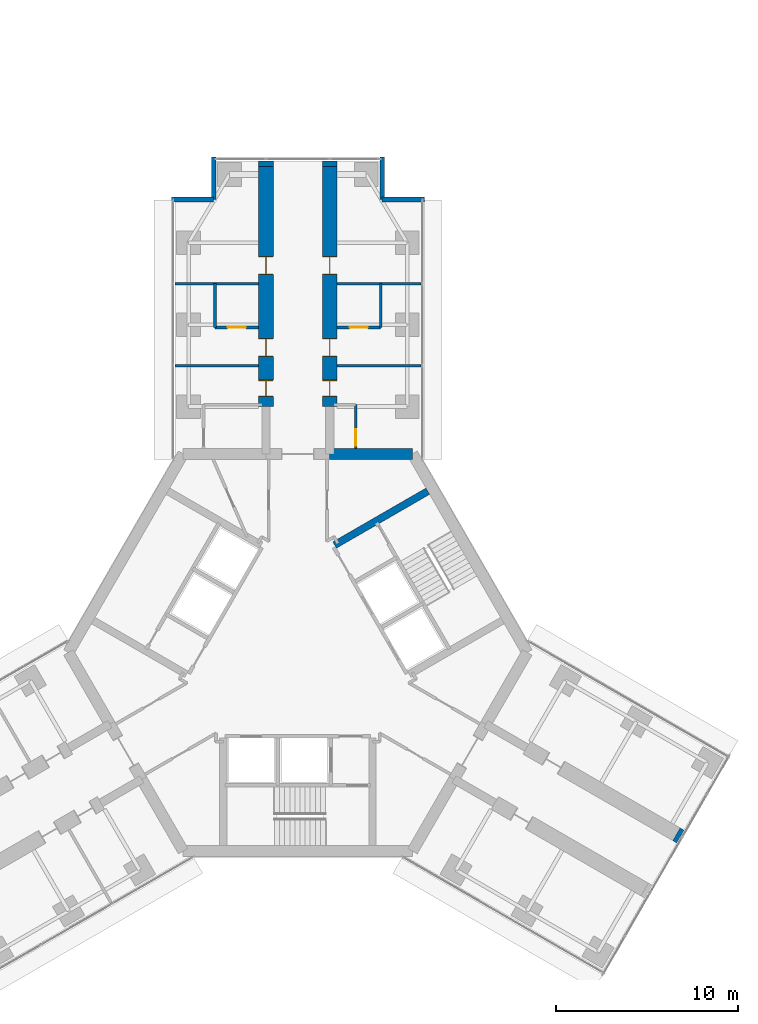
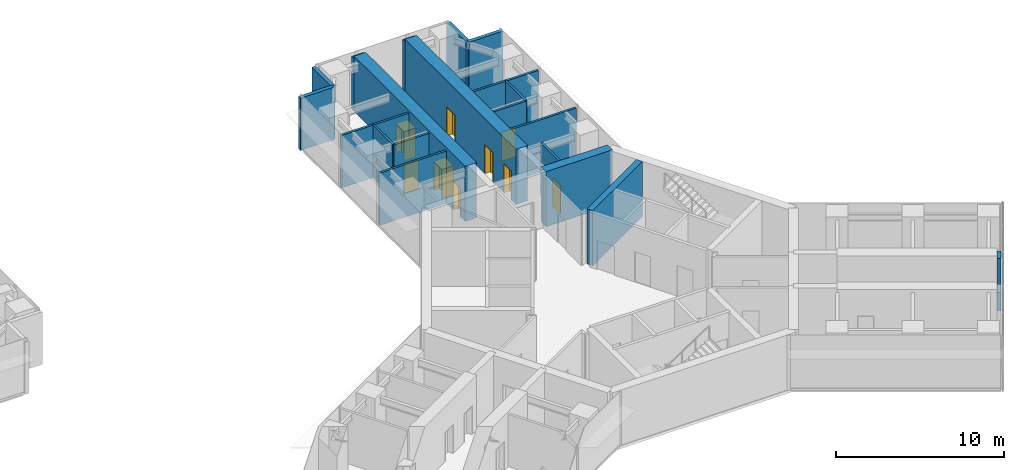
# One storey, part 20 of 22: 20 walls, 9 doors, 9 openings.
"""IFC4 building model written with IfcOpenShell, lengths in metres."""

from ifc_helpers import new_model, si_unit, direction, frame, frame_2d, origin, place, context, subcontext, project, spatial, rectangle, extrude, material, layer, layer_set, type_object, element, fill, save


model = new_model("IFC4")

# Units and contexts
model_context = context("Model", 3, precision=1e-05, world=origin(), true_north=direction((0.0, 1.0)))
body_context = subcontext(model_context, "Body", "Model", "MODEL_VIEW")
ifc_project = project(units=[si_unit("LENGTHUNIT", "METRE"), si_unit("AREAUNIT", "SQUARE_METRE"), si_unit("VOLUMEUNIT", "CUBIC_METRE"), si_unit("PLANEANGLEUNIT", "RADIAN"), si_unit("MASSUNIT", "GRAM", prefix="KILO")], contexts=[model_context])

# Site, building, storey
site_placement = place(None, origin())
site = spatial("IfcSite", under=ifc_project, at=site_placement, CompositionType="ELEMENT")
building_placement = place(site_placement, origin())
building = spatial("IfcBuilding", under=site, at=building_placement, Name="Upepo Twin Towers", CompositionType="ELEMENT")
storey_placement = place(building_placement, frame((0.0, 0.0, 125.5)))
storey = spatial("IfcBuildingStorey", under=building, at=storey_placement, Name="L30", CompositionType="ELEMENT", Elevation=125.5)

# Walls
ifc_material_1 = material(Name="Dense concrete blockwork", Category="masonry")
ifc_layer_1 = layer(ifc_material_1, 0.800048828125)
ifc_layer_set_1 = layer_set([ifc_layer_1], Name="Buttress closer 800, blockwork with fire-stopping to the curtain wall")
wall_type_1 = type_object("IfcWallType", Name="Buttress closer 800, blockwork with fire-stopping to the curtain wall", PredefinedType="PARTITIONING", material=ifc_layer_set_1)
for number, where, z_axis, x_axis, name in (
    (1, (56.75, 8.699951171875, 0.0), (0.0, 0.0, 1.0), (0.0, 1.0, 0.0), "T2 L30 wing A buttress closer L"),
    (2, (60.25, 8.699951171875, 0.0), (0.0, 0.0, 1.0), (0.0, 1.0, 0.0), "T2 L30 wing A buttress closer R"),
):
    element("IfcWall", number, at=place(storey_placement, frame(where, z_axis=z_axis, x_axis=x_axis)), inside=storey, type_object=wall_type_1, Name=name, PredefinedType="PARTITIONING", context=body_context, shape_type="SweptSolid", body=[
        extrude(rectangle(XDim=0.300048828125, YDim=0.800048828125, at=frame_2d((0.14990234375, 0.0))), origin(), (0.0, 0.0, 1.0), 3.800048828125),
    ])
wall_1_placement = place(storey_placement, frame((79.293701171875, -27.984375, 0.0), z_axis=(0.0, 0.0, 1.0), x_axis=(0.865827443207, -0.500342721131, 0.0)))
element("IfcWall", 3, at=wall_1_placement, inside=storey, type_object=wall_type_1, Name="T2 L30 wing C buttress closer L", PredefinedType="PARTITIONING", context=body_context, shape_type="SweptSolid", body=[
    extrude(rectangle(XDim=0.249755859375, YDim=0.800048828125, at=frame_2d((0.125, 0.0))), origin(), (0.0, 0.0, 1.0), 3.800048828125),
])

# Wall, openings, doors
ifc_material_2 = material(Name="Concrete C60/75", Category="concrete")
ifc_layer_2 = layer(ifc_material_2, 0.800048828125)
ifc_layer_set_2 = layer_set([ifc_layer_2], Name="Concrete C60/75")
wall_type_2 = type_object("IfcWallType", Name="Buttress wall 800 RC", PredefinedType="SHEAR", material=ifc_layer_set_2)
wall_2_placement = place(storey_placement, frame((56.75, -4.5, 0.0), z_axis=(0.0, 0.0, 1.0), x_axis=(0.0, 1.0, 0.0)))
wall_2 = element("IfcWall", 4, at=wall_2_placement, inside=storey, type_object=wall_type_2, Name="T2 wing A buttress wall L part 2", PredefinedType="SHEAR", context=body_context, shape_type="SweptSolid", body=[
    extrude(rectangle(XDim=13.199951171875, YDim=0.800048828125, at=frame_2d((6.60009765625, 0.0))), origin(), (0.0, 0.0, 1.0), 4.0),
])
opening_1_placement = place(wall_2_placement, frame((0.550048828125, 0.0, 0.0)))
opening_1 = element("IfcOpeningElement", 5, at=opening_1_placement, cuts=wall_2, Name="Opening D11", PredefinedType="OPENING", context=body_context, shape_type="SweptSolid", body=[
    extrude(rectangle(XDim=0.89990234375, YDim=2.10009765625, at=frame_2d((0.449951171875, 1.050048828125))), frame((0.0, 0.409912109375, 0.0), z_axis=(0.0, -1.0, 0.0), x_axis=(1.0, 0.0, 0.0)), (0.0, 0.0, 1.0), 0.820068359375),
])
opening_2_placement = place(wall_2_placement, frame((2.75, 0.0, 0.0)))
opening_2 = element("IfcOpeningElement", 6, at=opening_2_placement, cuts=wall_2, Name="Opening D1", PredefinedType="OPENING", context=body_context, shape_type="SweptSolid", body=[
    extrude(rectangle(XDim=1.0, YDim=2.10009765625, at=frame_2d((0.5, 1.050048828125))), frame((0.0, 0.409912109375, 0.0), z_axis=(0.0, -1.0, 0.0), x_axis=(1.0, 0.0, 0.0)), (0.0, 0.0, 1.0), 0.820068359375),
])
opening_3_placement = place(wall_2_placement, frame((7.25, 0.0, 0.0)))
opening_3 = element("IfcOpeningElement", 7, at=opening_3_placement, cuts=wall_2, Name="Opening D1", PredefinedType="OPENING", context=body_context, shape_type="SweptSolid", body=[
    extrude(rectangle(XDim=1.0, YDim=2.10009765625, at=frame_2d((0.5, 1.050048828125))), frame((0.0, 0.409912109375, 0.0), z_axis=(0.0, -1.0, 0.0), x_axis=(1.0, 0.0, 0.0)), (0.0, 0.0, 1.0), 0.820068359375),
])
ifc_material_3 = material(Name="Timber doorset", Category="wood")
door_type_1 = type_object("IfcDoorType", Name="Room door 1000 FD30", OperationType="SINGLE_SWING_LEFT", PredefinedType="DOOR", material=ifc_material_3)
door_1_placement = place(opening_2_placement, origin())
door_1 = element("IfcDoor", 8, at=door_1_placement, inside=storey, type_object=door_type_1, Name="T2 L30 tutorial room door", OperationType="SINGLE_SWING_LEFT", OverallHeight=2.10009765625, OverallWidth=1.0, PredefinedType="DOOR", context=body_context, shape_type="SweptSolid", body=[
    extrude(rectangle(XDim=0.92, YDim=2.06009765625, at=frame_2d((0.5, 1.030029296875))), frame((0.0, 0.02490234375, 0.0), z_axis=(0.0, -1.0, 0.0), x_axis=(1.0, 0.0, 0.0)), (0.0, 0.0, 1.0), 0.050048828125),
    extrude(rectangle(XDim=0.04, YDim=2.10009765625, at=frame_2d((0.02001953125, 1.050048828125))), frame((0.0, 0.39990234375, 0.0), z_axis=(0.0, -1.0, 0.0), x_axis=(1.0, 0.0, 0.0)), (0.0, 0.0, 1.0), 0.799560546875),
    extrude(rectangle(XDim=0.04, YDim=2.10009765625, at=frame_2d((0.97998046875, 1.050048828125))), frame((0.0, 0.39990234375, 0.0), z_axis=(0.0, -1.0, 0.0), x_axis=(1.0, 0.0, 0.0)), (0.0, 0.0, 1.0), 0.799560546875),
    extrude(rectangle(XDim=0.92, YDim=0.04, at=frame_2d((0.5, 2.080078125))), frame((0.0, 0.39990234375, 0.0), z_axis=(0.0, -1.0, 0.0), x_axis=(1.0, 0.0, 0.0)), (0.0, 0.0, 1.0), 0.799560546875),
])
fill(opening_2, door_1)
door_2_placement = place(opening_3_placement, origin())
door_2 = element("IfcDoor", 9, at=door_2_placement, inside=storey, type_object=door_type_1, Name="T2 L30 staff office door", OperationType="SINGLE_SWING_RIGHT", OverallHeight=2.10009765625, OverallWidth=1.0, PredefinedType="DOOR", context=body_context, shape_type="SweptSolid", body=[
    extrude(rectangle(XDim=0.92, YDim=2.06009765625, at=frame_2d((0.5, 1.030029296875))), frame((0.0, 0.02490234375, 0.0), z_axis=(0.0, -1.0, 0.0), x_axis=(1.0, 0.0, 0.0)), (0.0, 0.0, 1.0), 0.050048828125),
    extrude(rectangle(XDim=0.04, YDim=2.10009765625, at=frame_2d((0.02001953125, 1.050048828125))), frame((0.0, 0.39990234375, 0.0), z_axis=(0.0, -1.0, 0.0), x_axis=(1.0, 0.0, 0.0)), (0.0, 0.0, 1.0), 0.799560546875),
    extrude(rectangle(XDim=0.04, YDim=2.10009765625, at=frame_2d((0.97998046875, 1.050048828125))), frame((0.0, 0.39990234375, 0.0), z_axis=(0.0, -1.0, 0.0), x_axis=(1.0, 0.0, 0.0)), (0.0, 0.0, 1.0), 0.799560546875),
    extrude(rectangle(XDim=0.92, YDim=0.04, at=frame_2d((0.5, 2.080078125))), frame((0.0, 0.39990234375, 0.0), z_axis=(0.0, -1.0, 0.0), x_axis=(1.0, 0.0, 0.0)), (0.0, 0.0, 1.0), 0.799560546875),
])
fill(opening_3, door_2)
ifc_material_4 = material(Name="Timber doorset", Category="wood")
door_type_2 = type_object("IfcDoorType", Name="Toilet door 900", OperationType="SINGLE_SWING_LEFT", PredefinedType="DOOR", material=ifc_material_4)
door_3_placement = place(opening_1_placement, origin())
door_3 = element("IfcDoor", 10, at=door_3_placement, inside=storey, type_object=door_type_2, Name="T2 L30 accessible wc door", OperationType="SINGLE_SWING_LEFT", OverallHeight=2.10009765625, OverallWidth=0.89990234375, PredefinedType="DOOR", context=body_context, shape_type="SweptSolid", body=[
    extrude(rectangle(XDim=0.81990234375, YDim=2.06009765625, at=frame_2d((0.449951171875, 1.030029296875))), frame((0.0, 0.02490234375, 0.0), z_axis=(0.0, -1.0, 0.0), x_axis=(1.0, 0.0, 0.0)), (0.0, 0.0, 1.0), 0.050048828125),
    extrude(rectangle(XDim=0.04, YDim=2.10009765625, at=frame_2d((0.02001953125, 1.050048828125))), frame((0.0, 0.39990234375, 0.0), z_axis=(0.0, -1.0, 0.0), x_axis=(1.0, 0.0, 0.0)), (0.0, 0.0, 1.0), 0.799560546875),
    extrude(rectangle(XDim=0.04, YDim=2.10009765625, at=frame_2d((0.8798828125, 1.050048828125))), frame((0.0, 0.39990234375, 0.0), z_axis=(0.0, -1.0, 0.0), x_axis=(1.0, 0.0, 0.0)), (0.0, 0.0, 1.0), 0.799560546875),
    extrude(rectangle(XDim=0.81990234375, YDim=0.04, at=frame_2d((0.449951171875, 2.080078125))), frame((0.0, 0.39990234375, 0.0), z_axis=(0.0, -1.0, 0.0), x_axis=(1.0, 0.0, 0.0)), (0.0, 0.0, 1.0), 0.799560546875),
])
fill(opening_1, door_3)

wall_3_placement = place(storey_placement, frame((60.25, -4.5, 0.0), z_axis=(0.0, 0.0, 1.0), x_axis=(0.0, 1.0, 0.0)))
wall_3 = element("IfcWall", 11, at=wall_3_placement, inside=storey, type_object=wall_type_2, Name="T2 wing A buttress wall R part 2", PredefinedType="SHEAR", context=body_context, shape_type="SweptSolid", body=[
    extrude(rectangle(XDim=13.199951171875, YDim=0.800048828125, at=frame_2d((6.60009765625, 0.0))), origin(), (0.0, 0.0, 1.0), 4.0),
])
opening_4_placement = place(wall_3_placement, frame((0.550048828125, 0.0, 0.0)))
opening_4 = element("IfcOpeningElement", 12, at=opening_4_placement, cuts=wall_3, Name="Opening D11", PredefinedType="OPENING", context=body_context, shape_type="SweptSolid", body=[
    extrude(rectangle(XDim=0.89990234375, YDim=2.10009765625, at=frame_2d((0.449951171875, 1.050048828125))), frame((0.0, 0.409912109375, 0.0), z_axis=(0.0, -1.0, 0.0), x_axis=(1.0, 0.0, 0.0)), (0.0, 0.0, 1.0), 0.820068359375),
])
opening_5_placement = place(wall_3_placement, frame((2.75, 0.0, 0.0)))
opening_5 = element("IfcOpeningElement", 13, at=opening_5_placement, cuts=wall_3, Name="Opening D1", PredefinedType="OPENING", context=body_context, shape_type="SweptSolid", body=[
    extrude(rectangle(XDim=1.0, YDim=2.10009765625, at=frame_2d((0.5, 1.050048828125))), frame((0.0, 0.409912109375, 0.0), z_axis=(0.0, -1.0, 0.0), x_axis=(1.0, 0.0, 0.0)), (0.0, 0.0, 1.0), 0.820068359375),
])
opening_6_placement = place(wall_3_placement, frame((7.25, 0.0, 0.0)))
opening_6 = element("IfcOpeningElement", 14, at=opening_6_placement, cuts=wall_3, Name="Opening D1", PredefinedType="OPENING", context=body_context, shape_type="SweptSolid", body=[
    extrude(rectangle(XDim=1.0, YDim=2.10009765625, at=frame_2d((0.5, 1.050048828125))), frame((0.0, 0.409912109375, 0.0), z_axis=(0.0, -1.0, 0.0), x_axis=(1.0, 0.0, 0.0)), (0.0, 0.0, 1.0), 0.820068359375),
])
door_4_placement = place(opening_5_placement, origin())
door_4 = element("IfcDoor", 15, at=door_4_placement, inside=storey, type_object=door_type_1, Name="T2 L30 seminar room door", OperationType="SINGLE_SWING_LEFT", OverallHeight=2.10009765625, OverallWidth=1.0, PredefinedType="DOOR", context=body_context, shape_type="SweptSolid", body=[
    extrude(rectangle(XDim=0.92, YDim=2.06009765625, at=frame_2d((0.5, 1.030029296875))), frame((0.0, 0.02490234375, 0.0), z_axis=(0.0, -1.0, 0.0), x_axis=(1.0, 0.0, 0.0)), (0.0, 0.0, 1.0), 0.050048828125),
    extrude(rectangle(XDim=0.04, YDim=2.10009765625, at=frame_2d((0.02001953125, 1.050048828125))), frame((0.0, 0.39990234375, 0.0), z_axis=(0.0, -1.0, 0.0), x_axis=(1.0, 0.0, 0.0)), (0.0, 0.0, 1.0), 0.799560546875),
    extrude(rectangle(XDim=0.04, YDim=2.10009765625, at=frame_2d((0.97998046875, 1.050048828125))), frame((0.0, 0.39990234375, 0.0), z_axis=(0.0, -1.0, 0.0), x_axis=(1.0, 0.0, 0.0)), (0.0, 0.0, 1.0), 0.799560546875),
    extrude(rectangle(XDim=0.92, YDim=0.04, at=frame_2d((0.5, 2.080078125))), frame((0.0, 0.39990234375, 0.0), z_axis=(0.0, -1.0, 0.0), x_axis=(1.0, 0.0, 0.0)), (0.0, 0.0, 1.0), 0.799560546875),
])
fill(opening_5, door_4)
door_5_placement = place(opening_6_placement, origin())
door_5 = element("IfcDoor", 16, at=door_5_placement, inside=storey, type_object=door_type_1, Name="T2 L30 tutorial room door", OperationType="SINGLE_SWING_RIGHT", OverallHeight=2.10009765625, OverallWidth=1.0, PredefinedType="DOOR", context=body_context, shape_type="SweptSolid", body=[
    extrude(rectangle(XDim=0.92, YDim=2.06009765625, at=frame_2d((0.5, 1.030029296875))), frame((0.0, 0.02490234375, 0.0), z_axis=(0.0, -1.0, 0.0), x_axis=(1.0, 0.0, 0.0)), (0.0, 0.0, 1.0), 0.050048828125),
    extrude(rectangle(XDim=0.04, YDim=2.10009765625, at=frame_2d((0.02001953125, 1.050048828125))), frame((0.0, 0.39990234375, 0.0), z_axis=(0.0, -1.0, 0.0), x_axis=(1.0, 0.0, 0.0)), (0.0, 0.0, 1.0), 0.799560546875),
    extrude(rectangle(XDim=0.04, YDim=2.10009765625, at=frame_2d((0.97998046875, 1.050048828125))), frame((0.0, 0.39990234375, 0.0), z_axis=(0.0, -1.0, 0.0), x_axis=(1.0, 0.0, 0.0)), (0.0, 0.0, 1.0), 0.799560546875),
    extrude(rectangle(XDim=0.92, YDim=0.04, at=frame_2d((0.5, 2.080078125))), frame((0.0, 0.39990234375, 0.0), z_axis=(0.0, -1.0, 0.0), x_axis=(1.0, 0.0, 0.0)), (0.0, 0.0, 1.0), 0.799560546875),
])
fill(opening_6, door_5)
door_6_placement = place(opening_4_placement, origin())
door_6 = element("IfcDoor", 17, at=door_6_placement, inside=storey, type_object=door_type_2, Name="T2 L30 toilets door", OperationType="SINGLE_SWING_LEFT", OverallHeight=2.10009765625, OverallWidth=0.89990234375, PredefinedType="DOOR", context=body_context, shape_type="SweptSolid", body=[
    extrude(rectangle(XDim=0.81990234375, YDim=2.06009765625, at=frame_2d((0.449951171875, 1.030029296875))), frame((0.0, 0.02490234375, 0.0), z_axis=(0.0, -1.0, 0.0), x_axis=(1.0, 0.0, 0.0)), (0.0, 0.0, 1.0), 0.050048828125),
    extrude(rectangle(XDim=0.04, YDim=2.10009765625, at=frame_2d((0.02001953125, 1.050048828125))), frame((0.0, 0.39990234375, 0.0), z_axis=(0.0, -1.0, 0.0), x_axis=(1.0, 0.0, 0.0)), (0.0, 0.0, 1.0), 0.799560546875),
    extrude(rectangle(XDim=0.04, YDim=2.10009765625, at=frame_2d((0.8798828125, 1.050048828125))), frame((0.0, 0.39990234375, 0.0), z_axis=(0.0, -1.0, 0.0), x_axis=(1.0, 0.0, 0.0)), (0.0, 0.0, 1.0), 0.799560546875),
    extrude(rectangle(XDim=0.81990234375, YDim=0.04, at=frame_2d((0.449951171875, 2.080078125))), frame((0.0, 0.39990234375, 0.0), z_axis=(0.0, -1.0, 0.0), x_axis=(1.0, 0.0, 0.0)), (0.0, 0.0, 1.0), 0.799560546875),
])
fill(opening_4, door_6)

# Walls
ifc_material_5 = material(Name="Concrete C60/75", Category="concrete")
ifc_layer_3 = layer(ifc_material_5, 0.60009765625)
ifc_layer_set_3 = layer_set([ifc_layer_3], Name="Concrete C60/75")
wall_type_3 = type_object("IfcWallType", Name="Core wall 600 RC", PredefinedType="SHEAR", material=ifc_layer_set_3)
wall_4_placement = place(storey_placement, frame((64.7978515625, -7.091552734375, 0.0), z_axis=(0.0, 0.0, 1.0), x_axis=(-1.0, 0.0, 0.0)))
element("IfcWall", 18, at=wall_4_placement, inside=storey, type_object=wall_type_3, Name="T2 core wall 000 R", PredefinedType="SHEAR", context=body_context, shape_type="SweptSolid", body=[
    extrude(rectangle(XDim=4.5478515625, YDim=0.60009765625, at=frame_2d((2.27392578125, 0.0))), origin(), (0.0, 0.0, 1.0), 4.0),
])
ifc_material_6 = material(Name="Blockwork with anodised aluminium cladding", Category="masonry")
ifc_layer_4 = layer(ifc_material_6, 0.25)
ifc_layer_set_4 = layer_set([ifc_layer_4], Name="Notch cladding wall 250, pale metal")
wall_type_4 = type_object("IfcWallType", Name="Notch cladding wall 250, pale metal", PredefinedType="STANDARD", material=ifc_layer_set_4)
for number, where, z_axis, x_axis, name in (
    (19, (51.550048828125, 6.875, 0.0), (0.0, 0.0, 1.0), (1.0, 0.0, 0.0), "T2 L30 wing A notch wall L1"),
    (20, (53.875, 6.875, 0.0), (0.0, 0.0, 1.0), (0.0, 1.0, 0.0), "T2 L30 wing A notch wall L2"),
    (21, (65.449951171875, 6.875, 0.0), (0.0, 0.0, 1.0), (-1.0, 0.0, 0.0), "T2 L30 wing A notch wall R1"),
    (22, (63.125, 6.875, 0.0), (0.0, 0.0, 1.0), (0.0, 1.0, 0.0), "T2 L30 wing A notch wall R2"),
):
    element("IfcWall", number, at=place(storey_placement, frame(where, z_axis=z_axis, x_axis=x_axis)), inside=storey, type_object=wall_type_4, Name=name, PredefinedType="STANDARD", context=body_context, shape_type="SweptSolid", body=[
        extrude(rectangle(XDim=2.324951171875, YDim=0.25, at=frame_2d((1.16259765625, 0.0))), origin(), (0.0, 0.0, 1.0), 3.800048828125),
    ])
ifc_material_7 = material(Name="Concrete C40/50", Category="concrete")
ifc_layer_5 = layer(ifc_material_7, 0.39990234375)
ifc_layer_set_5 = layer_set([ifc_layer_5], Name="Concrete C40/50")
wall_type_5 = type_object("IfcWallType", Name="Shaft wall 400 RC", PredefinedType="SHEAR", material=ifc_layer_set_5)
wall_5_placement = place(storey_placement, frame((60.520263671875, -12.099365234375, 0.0), z_axis=(0.0, 0.0, 1.0), x_axis=(0.866009424208, 0.500027676417, 0.0)))
element("IfcWall", 23, at=wall_5_placement, inside=storey, type_object=wall_type_5, Name="T2 core W300 side wall N", PredefinedType="SHEAR", context=body_context, shape_type="SweptSolid", body=[
    extrude(rectangle(XDim=5.908447265625, YDim=0.39990234375, at=frame_2d((2.9541015625, 0.0))), origin(), (0.0, 0.0, 1.0), 4.0),
])
ifc_material_8 = material(Name="Gypsum board on steel studs", Category="steel")
ifc_layer_6 = layer(ifc_material_8, 0.14990234375)
ifc_layer_set_6 = layer_set([ifc_layer_6], Name="Teaching partition 150 acoustic")
wall_type_6 = type_object("IfcWallType", Name="Teaching partition 150 acoustic", PredefinedType="PARTITIONING", material=ifc_layer_set_6)
for number, where, z_axis, x_axis, name in (
    (24, (56.35009765625, -2.25, 0.0), (0.0, 0.0, 1.0), (-1.0, 0.0, 0.0), "T2 partition AL at 15.75"),
    (25, (56.35009765625, 2.25, 0.0), (0.0, 0.0, 1.0), (-1.0, 0.0, 0.0), "T2 partition AL at 20.25"),
):
    element("IfcWall", number, at=place(storey_placement, frame(where, z_axis=z_axis, x_axis=x_axis)), inside=storey, type_object=wall_type_6, Name=name, PredefinedType="PARTITIONING", context=body_context, shape_type="SweptSolid", body=[
        extrude(rectangle(XDim=4.60009765625, YDim=0.14990234375, at=frame_2d((2.300048828125, 0.0))), origin(), (0.0, 0.0, 1.0), 3.800048828125),
    ])
wall_6_placement = place(storey_placement, frame((53.949951171875, -0.14990234375, 0.0), z_axis=(0.0, 0.0, 1.0), x_axis=(0.0, 1.0, 0.0)))
element("IfcWall", 26, at=wall_6_placement, inside=storey, type_object=wall_type_6, Name="T2 inner room partition AL at 17.85", PredefinedType="PARTITIONING", context=body_context, shape_type="SweptSolid", body=[
    extrude(rectangle(XDim=2.39990234375, YDim=0.14990234375, at=frame_2d((1.199951171875, 0.0))), origin(), (0.0, 0.0, 1.0), 3.800048828125),
])

# Wall, opening, door
wall_7_placement = place(storey_placement, frame((56.35009765625, -0.14990234375, 0.0), z_axis=(0.0, 0.0, 1.0), x_axis=(-1.0, 0.0, 0.0)))
wall_7 = element("IfcWall", 27, at=wall_7_placement, inside=storey, type_object=wall_type_6, Name="T2 inner room partition AL end at 17.85", PredefinedType="PARTITIONING", context=body_context, shape_type="SweptSolid", body=[
    extrude(rectangle(XDim=2.400146484375, YDim=0.14990234375, at=frame_2d((1.2001953125, 0.0))), origin(), (0.0, 0.0, 1.0), 3.800048828125),
])
opening_7_placement = place(wall_7_placement, frame((0.699951171875, 0.0, 0.0)))
opening_7 = element("IfcOpeningElement", 28, at=opening_7_placement, cuts=wall_7, Name="Opening D1", PredefinedType="OPENING", context=body_context, shape_type="SweptSolid", body=[
    extrude(rectangle(XDim=1.0, YDim=2.10009765625, at=frame_2d((0.5, 1.050048828125))), frame((0.0, 0.0849609375, 0.0), z_axis=(0.0, -1.0, 0.0), x_axis=(1.0, 0.0, 0.0)), (0.0, 0.0, 1.0), 0.169921875),
])
door_7_placement = place(opening_7_placement, origin())
door_7 = element("IfcDoor", 29, at=door_7_placement, inside=storey, type_object=door_type_1, Name="T2 L30 inner room door", OperationType="SINGLE_SWING_LEFT", OverallHeight=2.10009765625, OverallWidth=1.0, PredefinedType="DOOR", context=body_context, shape_type="SweptSolid", body=[
    extrude(rectangle(XDim=1.0, YDim=2.10009765625, at=frame_2d((0.5, 1.050048828125))), frame((0.0, 0.02490234375, 0.0), z_axis=(0.0, -1.0, 0.0), x_axis=(1.0, 0.0, 0.0)), (0.0, 0.0, 1.0), 0.050048828125),
])
fill(opening_7, door_7)

# Walls
for number, where, z_axis, x_axis, name in (
    (30, (60.64990234375, -2.25, 0.0), (0.0, 0.0, 1.0), (1.0, 0.0, 0.0), "T2 partition AR at 15.75"),
    (31, (60.64990234375, 2.25, 0.0), (0.0, 0.0, 1.0), (1.0, 0.0, 0.0), "T2 partition AR at 20.25"),
):
    element("IfcWall", number, at=place(storey_placement, frame(where, z_axis=z_axis, x_axis=x_axis)), inside=storey, type_object=wall_type_6, Name=name, PredefinedType="PARTITIONING", context=body_context, shape_type="SweptSolid", body=[
        extrude(rectangle(XDim=4.60009765625, YDim=0.14990234375, at=frame_2d((2.300048828125, 0.0))), origin(), (0.0, 0.0, 1.0), 3.800048828125),
    ])
wall_8_placement = place(storey_placement, frame((63.050048828125, -0.14990234375, 0.0), z_axis=(0.0, 0.0, 1.0), x_axis=(0.0, 1.0, 0.0)))
element("IfcWall", 32, at=wall_8_placement, inside=storey, type_object=wall_type_6, Name="T2 inner room partition AR at 17.85", PredefinedType="PARTITIONING", context=body_context, shape_type="SweptSolid", body=[
    extrude(rectangle(XDim=2.39990234375, YDim=0.14990234375, at=frame_2d((1.199951171875, 0.0))), origin(), (0.0, 0.0, 1.0), 3.800048828125),
])

# Wall, opening, door
wall_9_placement = place(storey_placement, frame((60.64990234375, -0.14990234375, 0.0), z_axis=(0.0, 0.0, 1.0), x_axis=(1.0, 0.0, 0.0)))
wall_9 = element("IfcWall", 33, at=wall_9_placement, inside=storey, type_object=wall_type_6, Name="T2 inner room partition AR end at 17.85", PredefinedType="PARTITIONING", context=body_context, shape_type="SweptSolid", body=[
    extrude(rectangle(XDim=2.400146484375, YDim=0.14990234375, at=frame_2d((1.2001953125, 0.0))), origin(), (0.0, 0.0, 1.0), 3.800048828125),
])
opening_8_placement = place(wall_9_placement, frame((0.699951171875, 0.0, 0.0)))
opening_8 = element("IfcOpeningElement", 34, at=opening_8_placement, cuts=wall_9, Name="Opening D1", PredefinedType="OPENING", context=body_context, shape_type="SweptSolid", body=[
    extrude(rectangle(XDim=1.0, YDim=2.10009765625, at=frame_2d((0.5, 1.050048828125))), frame((0.0, 0.0849609375, 0.0), z_axis=(0.0, -1.0, 0.0), x_axis=(1.0, 0.0, 0.0)), (0.0, 0.0, 1.0), 0.169921875),
])
door_8_placement = place(opening_8_placement, origin())
door_8 = element("IfcDoor", 35, at=door_8_placement, inside=storey, type_object=door_type_1, Name="T2 L30 inner room door", OperationType="SINGLE_SWING_LEFT", OverallHeight=2.10009765625, OverallWidth=1.0, PredefinedType="DOOR", context=body_context, shape_type="SweptSolid", body=[
    extrude(rectangle(XDim=1.0, YDim=2.10009765625, at=frame_2d((0.5, 1.050048828125))), frame((0.0, 0.02490234375, 0.0), z_axis=(0.0, -1.0, 0.0), x_axis=(1.0, 0.0, 0.0)), (0.0, 0.0, 1.0), 0.050048828125),
])
fill(opening_8, door_8)

wall_10_placement = place(storey_placement, frame((61.675048828125, -6.7919921875, 0.0), z_axis=(0.0, 0.0, 1.0), x_axis=(0.0, 1.0, 0.0)))
wall_10 = element("IfcWall", 36, at=wall_10_placement, inside=storey, type_object=wall_type_6, Name="T2 WC bay partition AR at 11.21", PredefinedType="PARTITIONING", context=body_context, shape_type="SweptSolid", body=[
    extrude(rectangle(XDim=2.39990234375, YDim=0.14990234375, at=frame_2d((1.199951171875, 0.0))), origin(), (0.0, 0.0, 1.0), 3.800048828125),
])
opening_9_placement = place(wall_10_placement, frame((0.14990234375, 0.0, 0.0)))
opening_9 = element("IfcOpeningElement", 37, at=opening_9_placement, cuts=wall_10, Name="Opening D14", PredefinedType="OPENING", context=body_context, shape_type="SweptSolid", body=[
    extrude(rectangle(XDim=0.89990234375, YDim=2.10009765625, at=frame_2d((0.449951171875, 1.050048828125))), frame((0.0, 0.0849609375, 0.0), z_axis=(0.0, -1.0, 0.0), x_axis=(1.0, 0.0, 0.0)), (0.0, 0.0, 1.0), 0.169921875),
])
ifc_material_9 = material(Name="Timber doorset", Category="wood")
door_type_3 = type_object("IfcDoorType", Name="Office door 900 FD30", OperationType="SINGLE_SWING_LEFT", PredefinedType="DOOR", material=ifc_material_9)
door_9_placement = place(opening_9_placement, origin())
door_9 = element("IfcDoor", 38, at=door_9_placement, inside=storey, type_object=door_type_3, Name="T2 L30 WC bay inner room door", OperationType="SINGLE_SWING_LEFT", OverallHeight=2.10009765625, OverallWidth=0.89990234375, PredefinedType="DOOR", context=body_context, shape_type="SweptSolid", body=[
    extrude(rectangle(XDim=0.89990234375, YDim=2.10009765625, at=frame_2d((0.449951171875, 1.050048828125))), frame((0.0, 0.02490234375, 0.0), z_axis=(0.0, -1.0, 0.0), x_axis=(1.0, 0.0, 0.0)), (0.0, 0.0, 1.0), 0.050048828125),
])
fill(opening_9, door_9)

save(model, "model.ifc")
